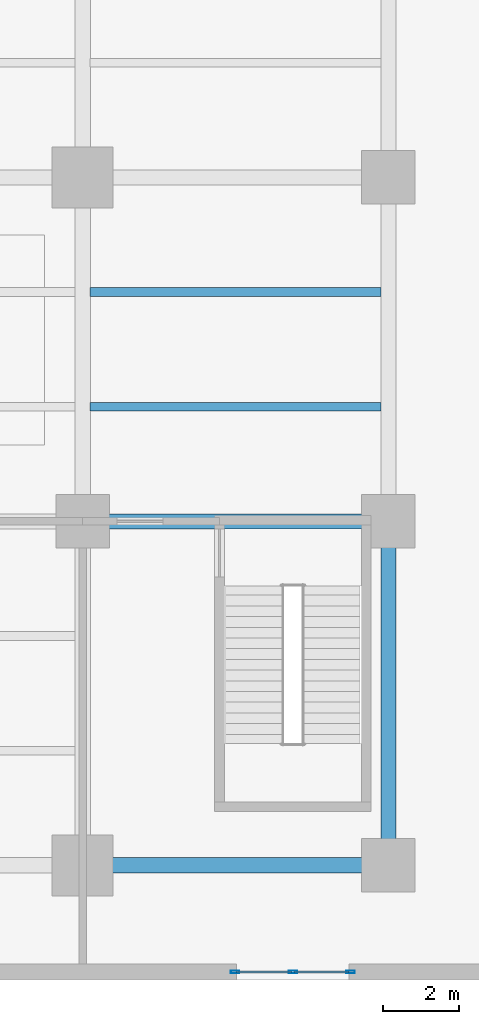
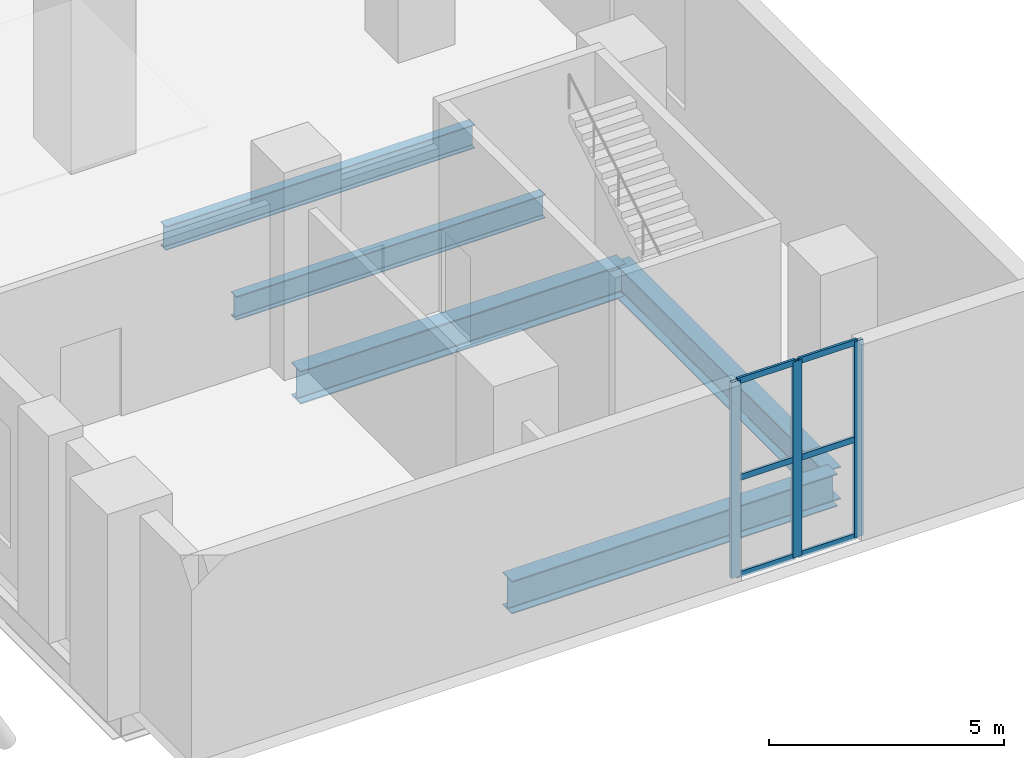
# One storey, part 13 of 20: 9 members, 5 beams, 1 element without a shape of its own.
"""IFC4 building model written with IfcOpenShell, lengths in metres."""

from ifc_helpers import new_model, si_unit, direction, frame, origin, origin_2d, place, context, subcontext, project, spatial, hollow_rectangle, i_section, extrude, material, layer, layer_set, material_profile, profile_set, type_object, element, aggregate, save


model = new_model("IFC4")

# Units and contexts
model_context = context("Model", 3, precision=1e-05, world=origin(), true_north=direction((0.0, 1.0)))
body_context = subcontext(model_context, "Body", "Model", "MODEL_VIEW")
ifc_project = project(units=[si_unit("LENGTHUNIT", "METRE"), si_unit("AREAUNIT", "SQUARE_METRE"), si_unit("VOLUMEUNIT", "CUBIC_METRE"), si_unit("PLANEANGLEUNIT", "RADIAN"), si_unit("MASSUNIT", "GRAM", prefix="KILO")], contexts=[model_context])

# Site, building, storey
site_placement = place(None, origin())
site = spatial("IfcSite", under=ifc_project, at=site_placement, CompositionType="ELEMENT")
building_placement = place(site_placement, origin())
building = spatial("IfcBuilding", under=site, at=building_placement, Name="Mawjdan Bourse Tower", CompositionType="ELEMENT")
storey_placement = place(building_placement, frame((0.0, 0.0, 5.39990234375)))
storey = spatial("IfcBuildingStorey", under=building, at=storey_placement, Name="L01", CompositionType="ELEMENT", Elevation=5.39990234375)

# Beams
ifc_material_1 = material(Name="Structural Steel S355", Category="steel")
ifc_material_profile_1 = material_profile(ifc_material_1, i_section(OverallWidth=0.39892578125, OverallDepth=0.85595703125, WebThickness=0.018310546875, FlangeThickness=0.029296875, FilletRadius=0.0234375, at=origin_2d()), Name="W33X201")
ifc_profile_set_1 = profile_set([ifc_material_profile_1], Name="Structural Steel S355")
beam_type_1 = type_object("IfcBeamType", Name="GRD-W33X201", PredefinedType="BEAM", material=ifc_profile_set_1)
beam_placement = place(storey_placement, frame((68.5, 3.0, -0.727783203125), z_axis=(0.0, 1.0, 0.0), x_axis=(-1.0, 0.0, 0.0)))
element("IfcBeam", 1, at=beam_placement, inside=storey, type_object=beam_type_1, Name="L01 Podium Primary Girder 036", PredefinedType="BEAM", context=body_context, shape_type="SweptSolid", body=[
    extrude(i_section(OverallWidth=0.39892578125, OverallDepth=0.85595703125, WebThickness=0.018310546875, FlangeThickness=0.029296875, FilletRadius=0.0234375, at=origin_2d()), origin(), (0.0, 0.0, 1.0), 9.0),
])
for number, where, z_axis, x_axis, name in (
    (2, (60.5, 3.0, -0.727783203125), (1.0, 0.0, 0.0), (0.0, 1.0, 0.0), "L01 Podium Tie Girder 044"),
    (3, (60.5, 12.0, -0.727783203125), (1.0, 0.0, 0.0), (0.0, 1.0, 0.0), "L01 Podium Tie Girder 048"),
):
    element("IfcBeam", number, at=place(storey_placement, frame(where, z_axis=z_axis, x_axis=x_axis)), inside=storey, type_object=beam_type_1, Name=name, PredefinedType="BEAM", context=body_context, shape_type="SweptSolid", body=[
        extrude(i_section(OverallWidth=0.39892578125, OverallDepth=0.85595703125, WebThickness=0.018310546875, FlangeThickness=0.029296875, FilletRadius=0.0234375, at=origin_2d()), origin(), (0.0, 0.0, 1.0), 8.0),
    ])
ifc_material_profile_2 = material_profile(ifc_material_1, i_section(OverallWidth=0.22998046875, OverallDepth=0.616943359375, WebThickness=0.01318359375, FlangeThickness=0.022216796875, FilletRadius=0.017822265625, at=origin_2d()), Name="W24X94")
ifc_profile_set_2 = profile_set([ifc_material_profile_2], Name="Structural Steel S355")
beam_type_2 = type_object("IfcBeamType", Name="JST-W24X94", PredefinedType="JOIST", material=ifc_profile_set_2)
for number, where, z_axis, x_axis, name in (
    (4, (60.697509765625, 15.0, -0.6083984375), (1.0, 0.0, 0.0), (0.0, 1.0, 0.0), "L01 Composite Floor Joist 086"),
    (5, (60.697509765625, 18.0, -0.6083984375), (1.0, 0.0, 0.0), (0.0, 1.0, 0.0), "L01 Composite Floor Joist 090"),
):
    element("IfcBeam", number, at=place(storey_placement, frame(where, z_axis=z_axis, x_axis=x_axis)), inside=storey, type_object=beam_type_2, Name=name, PredefinedType="JOIST", context=body_context, shape_type="SweptSolid", body=[
        extrude(i_section(OverallWidth=0.22998046875, OverallDepth=0.616943359375, WebThickness=0.01318359375, FlangeThickness=0.022216796875, FilletRadius=0.017822265625, at=origin_2d()), origin(), (0.0, 0.0, 1.0), 7.60498046875),
    ])

# Curtain wall, members
ifc_material_2 = material(Name="Thermally Broken Aluminium and Solar Glass", Category="aluminium")
ifc_layer = layer(ifc_material_2, 0.219970703125)
ifc_layer_set = layer_set([ifc_layer], Name="Thermally Broken Aluminium and Solar Glass")
curtain_wall_type = type_object("IfcCurtainWallType", Name="CW-ENT", PredefinedType="USERDEFINED", material=ifc_layer_set)
curtain_wall_placement = place(storey_placement, origin())
curtain_wall = element("IfcCurtainWall", 6, at=curtain_wall_placement, inside=storey, type_object=curtain_wall_type, Name="L01 South-East Foyer Upper Curtain Wall", ObjectType="FOYER ENTRANCE CURTAIN WALL", PredefinedType="USERDEFINED")
ifc_material_3 = material(Name="Thermally Broken Anodised Aluminium", Category="aluminium")
ifc_material_profile_3 = material_profile(ifc_material_3, hollow_rectangle(XDim=0.074951171875, YDim=0.219970703125, WallThickness=0.0048828125, at=origin_2d()), Name="ALU-MUL-220X75")
ifc_profile_set_3 = profile_set([ifc_material_profile_3], Name="Thermally Broken Anodised Aluminium")
member_type_1 = type_object("IfcMemberType", Name="MUL-ALU-MUL-220X75", PredefinedType="MULLION", material=ifc_profile_set_3)
member_1_placement = place(storey_placement, frame((64.487548828125, 0.2099609375, 0.0), z_axis=(0.0, 0.0, 1.0), x_axis=(0.0, 1.0, 0.0)))
member_1 = element("IfcMember", 7, at=member_1_placement, type_object=member_type_1, Name="CW-ENT-L01-ENT-SE mullion 1", PredefinedType="MULLION", context=body_context, shape_type="SweptSolid", body=[
    extrude(hollow_rectangle(XDim=0.074951171875, YDim=0.219970703125, WallThickness=0.0048828125, at=origin_2d()), origin(), (0.0, 0.0, 1.0), 5.10009765625),
])
member_2_placement = place(storey_placement, frame((66.0, 0.2099609375, 0.0), z_axis=(0.0, 0.0, 1.0), x_axis=(0.0, 1.0, 0.0)))
member_2 = element("IfcMember", 8, at=member_2_placement, type_object=member_type_1, Name="CW-ENT-L01-ENT-SE mullion 2", PredefinedType="MULLION", context=body_context, shape_type="SweptSolid", body=[
    extrude(hollow_rectangle(XDim=0.074951171875, YDim=0.219970703125, WallThickness=0.0048828125, at=origin_2d()), origin(), (0.0, 0.0, 1.0), 5.10009765625),
])
member_3_placement = place(storey_placement, frame((67.512451171875, 0.2099609375, 0.0), z_axis=(0.0, 0.0, 1.0), x_axis=(0.0, 1.0, 0.0)))
member_3 = element("IfcMember", 9, at=member_3_placement, type_object=member_type_1, Name="CW-ENT-L01-ENT-SE mullion 3", PredefinedType="MULLION", context=body_context, shape_type="SweptSolid", body=[
    extrude(hollow_rectangle(XDim=0.074951171875, YDim=0.219970703125, WallThickness=0.0048828125, at=origin_2d()), origin(), (0.0, 0.0, 1.0), 5.10009765625),
])
ifc_material_profile_4 = material_profile(ifc_material_3, hollow_rectangle(XDim=0.06005859375, YDim=0.155029296875, WallThickness=0.00390625, at=origin_2d()), Name="ALU-TRN-155X60")
ifc_profile_set_4 = profile_set([ifc_material_profile_4], Name="Thermally Broken Anodised Aluminium")
member_type_2 = type_object("IfcMemberType", Name="TRN-ALU-TRN-155X60", PredefinedType="USERDEFINED", material=ifc_profile_set_4)
member_4_placement = place(storey_placement, frame((64.52490234375, 0.2099609375, 0.030029296875), z_axis=(1.0, 0.0, 0.0), x_axis=(0.0, 1.0, 0.0)))
member_4 = element("IfcMember", 10, at=member_4_placement, type_object=member_type_2, Name="CW-ENT-L01-ENT-SE transom 1.1", ObjectType="TRANSOM", PredefinedType="USERDEFINED", context=body_context, shape_type="SweptSolid", body=[
    extrude(hollow_rectangle(XDim=0.06005859375, YDim=0.155029296875, WallThickness=0.00390625, at=origin_2d()), origin(), (0.0, 0.0, 1.0), 1.4375),
])
member_5_placement = place(storey_placement, frame((64.52490234375, 0.2099609375, 2.550048828125), z_axis=(1.0, 0.0, 0.0), x_axis=(0.0, 1.0, 0.0)))
member_5 = element("IfcMember", 11, at=member_5_placement, type_object=member_type_2, Name="CW-ENT-L01-ENT-SE transom 1.2", ObjectType="TRANSOM", PredefinedType="USERDEFINED", context=body_context, shape_type="SweptSolid", body=[
    extrude(hollow_rectangle(XDim=0.06005859375, YDim=0.155029296875, WallThickness=0.00390625, at=origin_2d()), origin(), (0.0, 0.0, 1.0), 1.4375),
])
member_6_placement = place(storey_placement, frame((64.52490234375, 0.2099609375, 5.070068359375), z_axis=(1.0, 0.0, 0.0), x_axis=(0.0, 1.0, 0.0)))
member_6 = element("IfcMember", 12, at=member_6_placement, type_object=member_type_2, Name="CW-ENT-L01-ENT-SE transom 1.3", ObjectType="TRANSOM", PredefinedType="USERDEFINED", context=body_context, shape_type="SweptSolid", body=[
    extrude(hollow_rectangle(XDim=0.06005859375, YDim=0.155029296875, WallThickness=0.00390625, at=origin_2d()), origin(), (0.0, 0.0, 1.0), 1.4375),
])
member_7_placement = place(storey_placement, frame((66.03759765625, 0.2099609375, 0.030029296875), z_axis=(1.0, 0.0, 0.0), x_axis=(0.0, 1.0, 0.0)))
member_7 = element("IfcMember", 13, at=member_7_placement, type_object=member_type_2, Name="CW-ENT-L01-ENT-SE transom 2.1", ObjectType="TRANSOM", PredefinedType="USERDEFINED", context=body_context, shape_type="SweptSolid", body=[
    extrude(hollow_rectangle(XDim=0.06005859375, YDim=0.155029296875, WallThickness=0.00390625, at=origin_2d()), origin(), (0.0, 0.0, 1.0), 1.4375),
])
member_8_placement = place(storey_placement, frame((66.03759765625, 0.2099609375, 2.550048828125), z_axis=(1.0, 0.0, 0.0), x_axis=(0.0, 1.0, 0.0)))
member_8 = element("IfcMember", 14, at=member_8_placement, type_object=member_type_2, Name="CW-ENT-L01-ENT-SE transom 2.2", ObjectType="TRANSOM", PredefinedType="USERDEFINED", context=body_context, shape_type="SweptSolid", body=[
    extrude(hollow_rectangle(XDim=0.06005859375, YDim=0.155029296875, WallThickness=0.00390625, at=origin_2d()), origin(), (0.0, 0.0, 1.0), 1.4375),
])
member_9_placement = place(storey_placement, frame((66.03759765625, 0.2099609375, 5.070068359375), z_axis=(1.0, 0.0, 0.0), x_axis=(0.0, 1.0, 0.0)))
member_9 = element("IfcMember", 15, at=member_9_placement, type_object=member_type_2, Name="CW-ENT-L01-ENT-SE transom 2.3", ObjectType="TRANSOM", PredefinedType="USERDEFINED", context=body_context, shape_type="SweptSolid", body=[
    extrude(hollow_rectangle(XDim=0.06005859375, YDim=0.155029296875, WallThickness=0.00390625, at=origin_2d()), origin(), (0.0, 0.0, 1.0), 1.4375),
])
aggregate(curtain_wall, [member_1, member_2, member_3, member_4, member_5, member_6, member_7, member_8, member_9])

save(model, "model.ifc")
